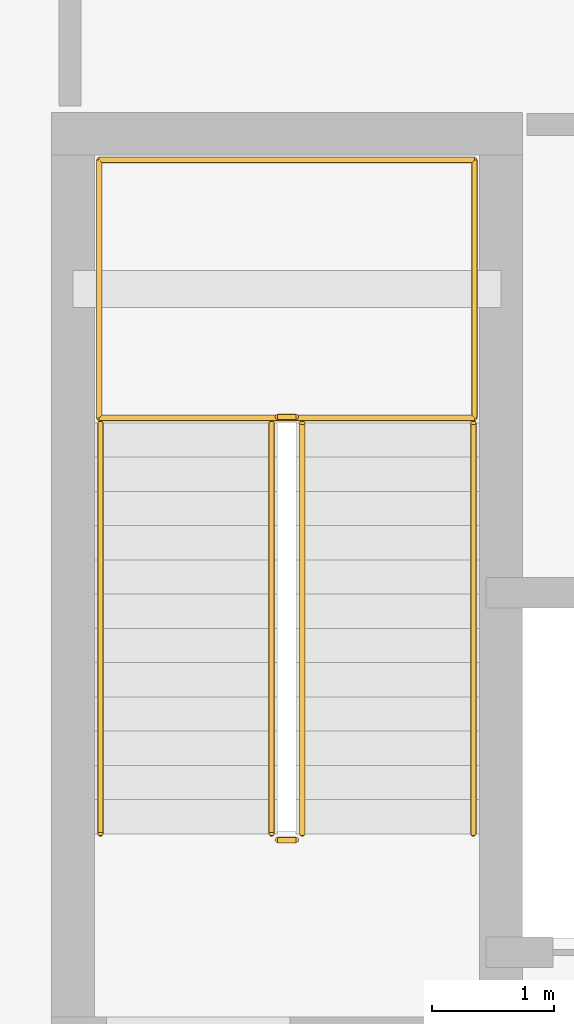
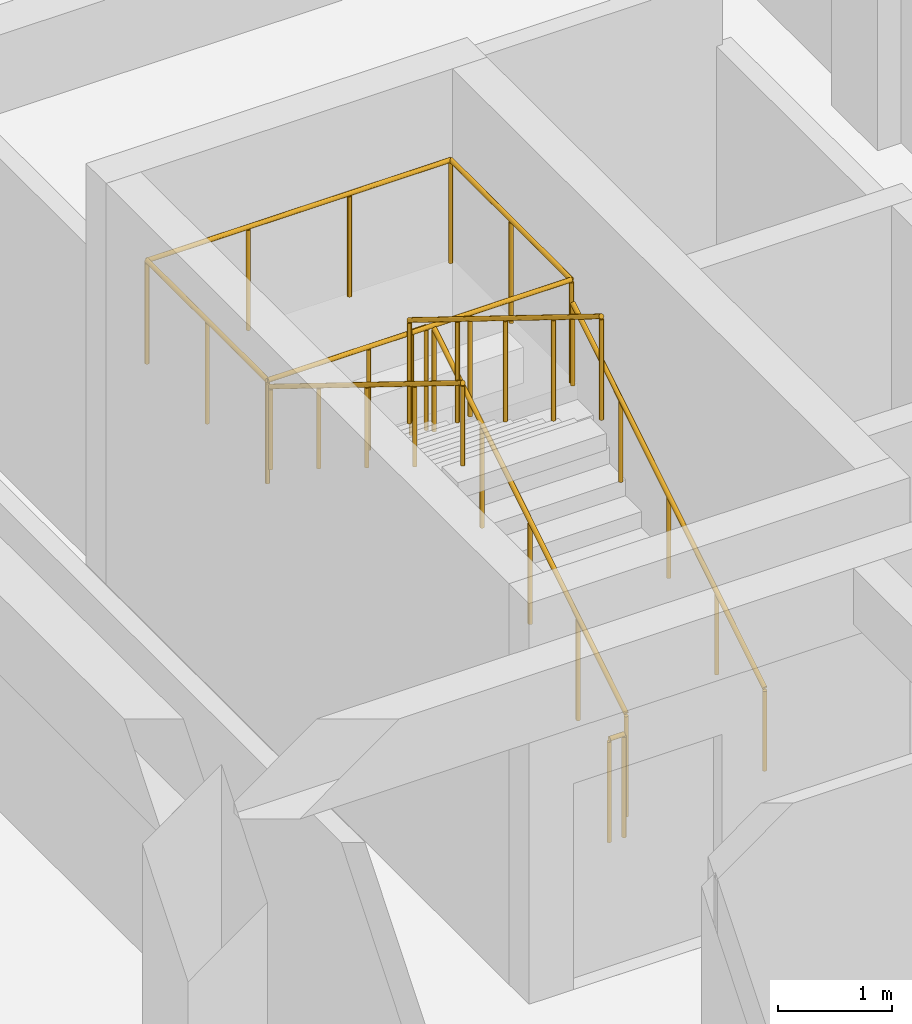
# One storey, part 56 of 57: 8 railings.
"""IFC4 building model written with IfcOpenShell, lengths in metres."""

from ifc_helpers import new_model, si_unit, direction, frame, origin, origin_2d, place, context, subcontext, project, spatial, circle, extrude, material, type_object, element, save


model = new_model("IFC4")

# Units and contexts
model_context = context("Model", 3, precision=1e-05, world=origin(), true_north=direction((0.0, 1.0)))
body_context = subcontext(model_context, "Body", "Model", "MODEL_VIEW")
ifc_project = project(units=[si_unit("LENGTHUNIT", "METRE"), si_unit("AREAUNIT", "SQUARE_METRE"), si_unit("VOLUMEUNIT", "CUBIC_METRE"), si_unit("PLANEANGLEUNIT", "RADIAN"), si_unit("MASSUNIT", "GRAM", prefix="KILO")], contexts=[model_context])

# Site, building, storey
site_placement = place(None, origin())
site = spatial("IfcSite", under=ifc_project, at=site_placement, CompositionType="ELEMENT")
building_placement = place(site_placement, origin())
building = spatial("IfcBuilding", under=site, at=building_placement, Name="Miralva Faculty of Natural Sciences", CompositionType="ELEMENT")
storey_placement = place(building_placement, frame((0.0, 0.0, 15.0)))
storey = spatial("IfcBuildingStorey", under=building, at=storey_placement, Name="L03", CompositionType="ELEMENT", Elevation=15.0)

# Railings
ifc_material = material(Name="Steel S355", Category="steel")
railing_type_1 = type_object("IfcRailingType", Name="RL-GR01", PredefinedType="GUARDRAIL", material=ifc_material)
railing_1_placement = place(storey_placement, frame((15.300048828125, 67.89990234375, 0.173095703125)))
element("IfcRailing", 1, at=railing_1_placement, inside=storey, type_object=railing_type_1, Name="Stair Core C2 safety guard L03-1", PredefinedType="GUARDRAIL", context=body_context, shape_type="SweptSolid", body=[
    extrude(circle(Radius=0.02392578125, at=origin_2d()), frame((0.0, 0.0, 1.09619140625), z_axis=(0.0, 0.850623216509, 0.525775754039), x_axis=(-1.0, 0.0, 0.0)), (0.0, 0.0, 1.0), 3.9501953125),
    extrude(circle(Radius=0.02099609375, at=origin_2d()), origin(), (0.0, 0.0, 1.0), 1.072021484375),
    extrude(circle(Radius=0.02099609375, at=origin_2d()), frame((0.0, 0.840087890625, 0.519287109375)), (0.0, 0.0, 1.0), 1.072021484375),
    extrude(circle(Radius=0.02099609375, at=origin_2d()), frame((0.0, 1.68017578125, 1.03857421875)), (0.0, 0.0, 1.0), 1.072021484375),
    extrude(circle(Radius=0.02099609375, at=origin_2d()), frame((0.0, 2.52001953125, 1.5576171875)), (0.0, 0.0, 1.0), 1.072021484375),
    extrude(circle(Radius=0.02099609375, at=origin_2d()), frame((0.0, 3.360107421875, 2.076904296875)), (0.0, 0.0, 1.0), 1.072021484375),
])
railing_2_placement = place(storey_placement, frame((15.25, 71.31005859375, 2.25)))
element("IfcRailing", 2, at=railing_2_placement, inside=storey, type_object=railing_type_1, Name="Stair Core C2 safety guard L03-2", PredefinedType="GUARDRAIL", context=body_context, shape_type="SweptSolid", body=[
    extrude(circle(Radius=0.02392578125, at=origin_2d()), frame((0.0, 0.0, 1.09619140625), z_axis=(-1.0, 0.0, 0.0), x_axis=(0.0, -1.0, 0.0)), (0.0, 0.0, 1.0), 0.14990234375),
    extrude(circle(Radius=0.02099609375, at=origin_2d()), origin(), (0.0, 0.0, 1.0), 1.072021484375),
    extrude(circle(Radius=0.02099609375, at=origin_2d()), frame((-0.14990234375, 0.0, 0.0)), (0.0, 0.0, 1.0), 1.072021484375),
])
railing_3_placement = place(storey_placement, frame((15.050048828125, 71.260009765625, 2.423095703125)))
element("IfcRailing", 3, at=railing_3_placement, inside=storey, type_object=railing_type_1, Name="Stair Core C2 safety guard L03-3", PredefinedType="GUARDRAIL", context=body_context, shape_type="SweptSolid", body=[
    extrude(circle(Radius=0.02392578125, at=origin_2d()), frame((0.0, 0.0, 1.09619140625), z_axis=(0.0, -0.850623216509, 0.525775754039), x_axis=(1.0, 0.0, 0.0)), (0.0, 0.0, 1.0), 3.9501953125),
    extrude(circle(Radius=0.02099609375, at=origin_2d()), origin(), (0.0, 0.0, 1.0), 1.072021484375),
    extrude(circle(Radius=0.02099609375, at=origin_2d()), frame((0.0, -0.840087890625, 0.519287109375)), (0.0, 0.0, 1.0), 1.072021484375),
    extrude(circle(Radius=0.02099609375, at=origin_2d()), frame((0.0, -1.68017578125, 1.03857421875)), (0.0, 0.0, 1.0), 1.072021484375),
    extrude(circle(Radius=0.02099609375, at=origin_2d()), frame((0.0, -2.52001953125, 1.5576171875)), (0.0, 0.0, 1.0), 1.072021484375),
    extrude(circle(Radius=0.02099609375, at=origin_2d()), frame((0.0, -3.360107421875, 2.076904296875)), (0.0, 0.0, 1.0), 1.072021484375),
])
railing_4_placement = place(storey_placement, frame((15.25, 67.85009765625, 0.0)))
element("IfcRailing", 4, at=railing_4_placement, inside=storey, type_object=railing_type_1, Name="Stair Core C2 safety guard L03-4", PredefinedType="GUARDRAIL", context=body_context, shape_type="SweptSolid", body=[
    extrude(circle(Radius=0.02392578125, at=origin_2d()), frame((0.0, 0.0, 1.09619140625), z_axis=(-1.0, 0.0, 0.0), x_axis=(0.0, -1.0, 0.0)), (0.0, 0.0, 1.0), 0.14990234375),
    extrude(circle(Radius=0.02099609375, at=origin_2d()), origin(), (0.0, 0.0, 1.0), 1.072021484375),
    extrude(circle(Radius=0.02099609375, at=origin_2d()), frame((-0.14990234375, 0.0, 0.0)), (0.0, 0.0, 1.0), 1.072021484375),
])
railing_5_placement = place(storey_placement, frame((13.639892578125, 71.300048828125, 2.25)))
element("IfcRailing", 5, at=railing_5_placement, inside=storey, type_object=railing_type_1, Name="Stair Core C2 half-landing guard L03-1A", PredefinedType="GUARDRAIL", context=body_context, shape_type="SweptSolid", body=[
    extrude(circle(Radius=0.02392578125, at=origin_2d()), frame((0.0, 0.0, 1.09619140625), z_axis=(0.0, 1.0, 0.0), x_axis=(-1.0, 0.0, 0.0)), (0.0, 0.0, 1.0), 2.10986328125),
    extrude(circle(Radius=0.02392578125, at=origin_2d()), frame((0.0, 2.10986328125, 1.09619140625), z_axis=(1.0, 0.0, 0.0), x_axis=(0.0, 1.0, 0.0)), (0.0, 0.0, 1.0), 3.070068359375),
    extrude(circle(Radius=0.02099609375, at=origin_2d()), origin(), (0.0, 0.0, 1.0), 1.072021484375),
    extrude(circle(Radius=0.02099609375, at=origin_2d()), frame((0.0, 1.054931640625, 0.0)), (0.0, 0.0, 1.0), 1.072021484375),
    extrude(circle(Radius=0.02099609375, at=origin_2d()), frame((0.0, 2.10986328125, 0.0)), (0.0, 0.0, 1.0), 1.072021484375),
    extrude(circle(Radius=0.02099609375, at=origin_2d()), frame((1.0234375, 2.10986328125, 0.0)), (0.0, 0.0, 1.0), 1.072021484375),
    extrude(circle(Radius=0.02099609375, at=origin_2d()), frame((2.046630859375, 2.10986328125, 0.0)), (0.0, 0.0, 1.0), 1.072021484375),
    extrude(circle(Radius=0.02099609375, at=origin_2d()), frame((3.070068359375, 2.10986328125, 0.0)), (0.0, 0.0, 1.0), 1.072021484375),
])
railing_6_placement = place(storey_placement, frame((16.7099609375, 73.409912109375, 2.25)))
element("IfcRailing", 6, at=railing_6_placement, inside=storey, type_object=railing_type_1, Name="Stair Core C2 half-landing guard L03-1B", PredefinedType="GUARDRAIL", context=body_context, shape_type="SweptSolid", body=[
    extrude(circle(Radius=0.02392578125, at=origin_2d()), frame((0.0, 0.0, 1.09619140625), z_axis=(0.0, -1.0, 0.0), x_axis=(1.0, 0.0, 0.0)), (0.0, 0.0, 1.0), 2.10986328125),
    extrude(circle(Radius=0.02392578125, at=origin_2d()), frame((0.0, -2.10986328125, 1.09619140625), z_axis=(-1.0, 0.0, 0.0), x_axis=(0.0, -1.0, 0.0)), (0.0, 0.0, 1.0), 3.070068359375),
    extrude(circle(Radius=0.02099609375, at=origin_2d()), origin(), (0.0, 0.0, 1.0), 1.072021484375),
    extrude(circle(Radius=0.02099609375, at=origin_2d()), frame((0.0, -1.054931640625, 0.0)), (0.0, 0.0, 1.0), 1.072021484375),
    extrude(circle(Radius=0.02099609375, at=origin_2d()), frame((0.0, -2.10986328125, 0.0)), (0.0, 0.0, 1.0), 1.072021484375),
    extrude(circle(Radius=0.02099609375, at=origin_2d()), frame((-1.0234375, -2.10986328125, 0.0)), (0.0, 0.0, 1.0), 1.072021484375),
    extrude(circle(Radius=0.02099609375, at=origin_2d()), frame((-2.046630859375, -2.10986328125, 0.0)), (0.0, 0.0, 1.0), 1.072021484375),
    extrude(circle(Radius=0.02099609375, at=origin_2d()), frame((-3.070068359375, -2.10986328125, 0.0)), (0.0, 0.0, 1.0), 1.072021484375),
])
railing_type_2 = type_object("IfcRailingType", Name="RL-HR01", PredefinedType="HANDRAIL", material=ifc_material)
railing_7_placement = place(storey_placement, frame((16.699951171875, 67.89990234375, 0.173095703125)))
element("IfcRailing", 7, at=railing_7_placement, inside=storey, type_object=railing_type_2, Name="Stair Core C2 handrail L03-1", PredefinedType="HANDRAIL", context=body_context, shape_type="SweptSolid", body=[
    extrude(circle(Radius=0.02392578125, at=origin_2d()), frame((0.0, 0.0, 0.8759765625), z_axis=(0.0, 0.850623216509, 0.525775754039), x_axis=(-1.0, 0.0, 0.0)), (0.0, 0.0, 1.0), 3.9501953125),
    extrude(circle(Radius=0.02099609375, at=origin_2d()), origin(), (0.0, 0.0, 1.0), 0.851806640625),
    extrude(circle(Radius=0.02099609375, at=origin_2d()), frame((0.0, 0.840087890625, 0.519287109375)), (0.0, 0.0, 1.0), 0.851806640625),
    extrude(circle(Radius=0.02099609375, at=origin_2d()), frame((0.0, 1.68017578125, 1.03857421875)), (0.0, 0.0, 1.0), 0.851806640625),
    extrude(circle(Radius=0.02099609375, at=origin_2d()), frame((0.0, 2.52001953125, 1.5576171875)), (0.0, 0.0, 1.0), 0.851806640625),
    extrude(circle(Radius=0.02099609375, at=origin_2d()), frame((0.0, 3.360107421875, 2.076904296875)), (0.0, 0.0, 1.0), 0.851806640625),
])
railing_8_placement = place(storey_placement, frame((13.64990234375, 71.260009765625, 2.423095703125)))
element("IfcRailing", 8, at=railing_8_placement, inside=storey, type_object=railing_type_2, Name="Stair Core C2 handrail L03-2", PredefinedType="HANDRAIL", context=body_context, shape_type="SweptSolid", body=[
    extrude(circle(Radius=0.02392578125, at=origin_2d()), frame((0.0, 0.0, 0.8759765625), z_axis=(0.0, -0.850623216509, 0.525775754039), x_axis=(1.0, 0.0, 0.0)), (0.0, 0.0, 1.0), 3.9501953125),
    extrude(circle(Radius=0.02099609375, at=origin_2d()), origin(), (0.0, 0.0, 1.0), 0.851806640625),
    extrude(circle(Radius=0.02099609375, at=origin_2d()), frame((0.0, -0.840087890625, 0.519287109375)), (0.0, 0.0, 1.0), 0.851806640625),
    extrude(circle(Radius=0.02099609375, at=origin_2d()), frame((0.0, -1.68017578125, 1.03857421875)), (0.0, 0.0, 1.0), 0.851806640625),
    extrude(circle(Radius=0.02099609375, at=origin_2d()), frame((0.0, -2.52001953125, 1.5576171875)), (0.0, 0.0, 1.0), 0.851806640625),
    extrude(circle(Radius=0.02099609375, at=origin_2d()), frame((0.0, -3.360107421875, 2.076904296875)), (0.0, 0.0, 1.0), 0.851806640625),
])

save(model, "model.ifc")
